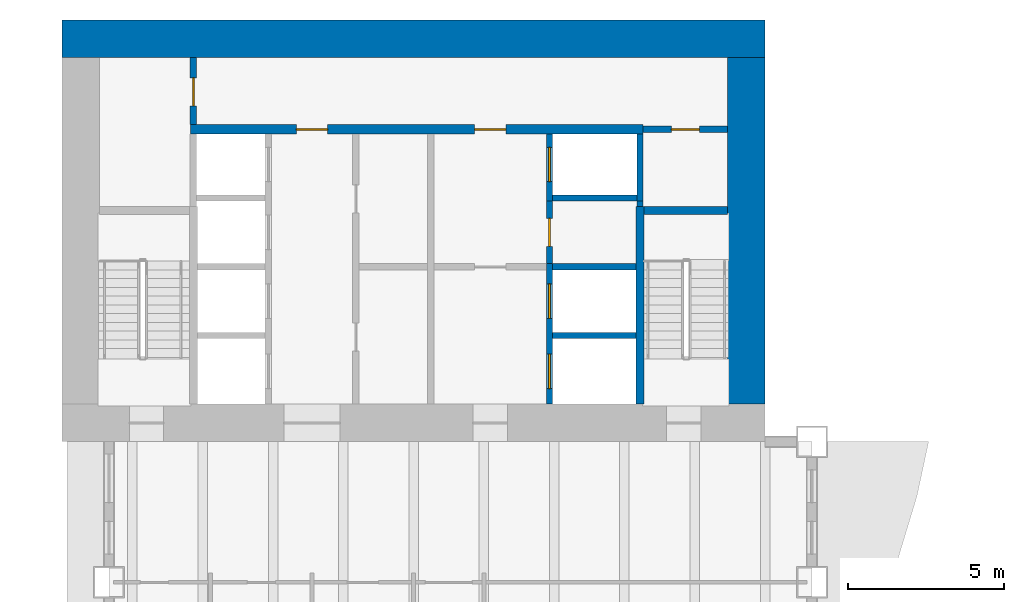
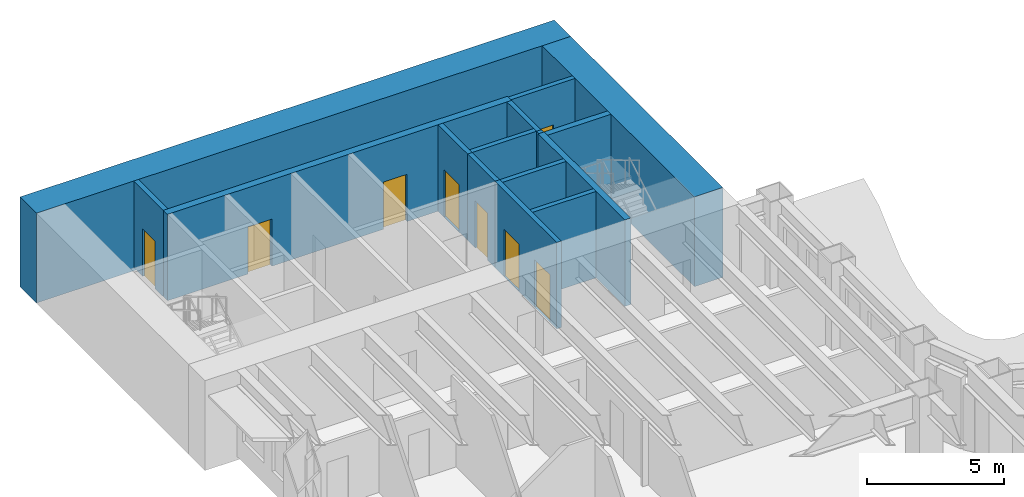
# One storey, part 9 of 16: 15 walls, 8 doors, 8 openings.
"""IFC4 building model written with IfcOpenShell, lengths in metres."""

from ifc_helpers import new_model, si_unit, direction, frame, frame_2d, origin, place, context, subcontext, project, spatial, rectangle, extrude, material, layer, layer_set, type_object, element, fill, save


model = new_model("IFC4")

# Units and contexts
model_context = context("Model", 3, precision=1e-05, world=origin(), true_north=direction((0.0, 1.0)))
body_context = subcontext(model_context, "Body", "Model", "MODEL_VIEW")
ifc_project = project(units=[si_unit("LENGTHUNIT", "METRE"), si_unit("AREAUNIT", "SQUARE_METRE"), si_unit("VOLUMEUNIT", "CUBIC_METRE"), si_unit("PLANEANGLEUNIT", "RADIAN"), si_unit("MASSUNIT", "GRAM", prefix="KILO")], contexts=[model_context])

# Site, building, storey
site_placement = place(None, origin())
site = spatial("IfcSite", under=ifc_project, at=site_placement, CompositionType="ELEMENT")
building_placement = place(site_placement, origin())
building = spatial("IfcBuilding", under=site, at=building_placement, Name="Sennacour Bend Tower", CompositionType="ELEMENT")
storey_placement = place(building_placement, frame((0.0, 0.0, 91.0)))
storey = spatial("IfcBuildingStorey", under=building, at=storey_placement, Name="L20", CompositionType="ELEMENT", Elevation=91.0)

# Walls
ifc_material_1 = material(Name="Concrete C80/95", Category="concrete")
ifc_layer_1 = layer(ifc_material_1, 1.199951171875, Name="Concrete C80/95", Category="concrete")
ifc_layer_set_1 = layer_set([ifc_layer_1], Name="Concrete C80/95")
wall_type_1 = type_object("IfcWallType", Name="Core wall 1200 C80/95", PredefinedType="SHEAR", material=ifc_layer_set_1)
wall_1_placement = place(storey_placement, frame((0.0, 48.89990234375, -0.14990234375), z_axis=(0.0, 0.0, 1.0), x_axis=(1.0, 0.0, 0.0)))
element("IfcWall", 1, at=wall_1_placement, inside=storey, type_object=wall_type_1, Name="Core B wall L20 N", PredefinedType="SHEAR", context=body_context, shape_type="SweptSolid", body=[
    extrude(rectangle(XDim=22.5, YDim=1.199951171875, at=frame_2d((11.25, 0.0))), origin(), (0.0, 0.0, 1.0), 4.0),
])
wall_2_placement = place(storey_placement, frame((21.89990234375, 37.199951171875, -0.14990234375), z_axis=(0.0, 0.0, 1.0), x_axis=(0.0, 1.0, 0.0)))
element("IfcWall", 2, at=wall_2_placement, inside=storey, type_object=wall_type_1, Name="Core B wall L20 E", PredefinedType="SHEAR", context=body_context, shape_type="SweptSolid", body=[
    extrude(rectangle(XDim=11.10009765625, YDim=1.199951171875, at=frame_2d((5.550048828125, 0.0))), origin(), (0.0, 0.0, 1.0), 4.0),
])

# Wall, opening, door
ifc_material_2 = material(Name="Fire-rated plasterboard partition on steel studs", Category="steel")
ifc_layer_2 = layer(ifc_material_2, 0.199951171875, Name="Fire-rated plasterboard partition on steel studs", Category="steel")
ifc_layer_set_2 = layer_set([ifc_layer_2], Name="Fire-rated plasterboard partition on steel studs")
wall_type_2 = type_object("IfcWallType", Name="Rated partition 200", PredefinedType="PARTITIONING", material=ifc_layer_set_2)
wall_3_placement = place(storey_placement, frame((4.199951171875, 46.14990234375, 0.0), z_axis=(0.0, 0.0, 1.0), x_axis=(0.0, 1.0, 0.0)))
wall_3 = element("IfcWall", 3, at=wall_3_placement, inside=storey, type_object=wall_type_2, Name="P-L20-W006", PredefinedType="PARTITIONING", context=body_context, shape_type="SweptSolid", body=[
    extrude(rectangle(XDim=2.150146484375, YDim=0.199951171875, at=frame_2d((1.0751953125, 0.0))), origin(), (0.0, 0.0, 1.0), 3.85009765625),
])
opening_1_placement = place(wall_3_placement, frame((0.60009765625, 0.0, 0.0)))
opening_1 = element("IfcOpeningElement", 4, at=opening_1_placement, cuts=wall_3, Name="Opening SV", PredefinedType="OPENING", context=body_context, shape_type="SweptSolid", body=[
    extrude(rectangle(XDim=0.89990234375, YDim=2.10009765625, at=frame_2d((0.449951171875, 1.050048828125))), frame((0.0, 0.10986328125, 0.0), z_axis=(0.0, -1.0, 0.0), x_axis=(1.0, 0.0, 0.0)), (0.0, 0.0, 1.0), 0.219970703125),
])
ifc_material_3 = material(Name="Painted steel", Category="steel")
door_type_1 = type_object("IfcDoorType", Name="DR-SERVICE-900", OperationType="NOTDEFINED", PredefinedType="DOOR", material=ifc_material_3)
door_1_placement = place(opening_1_placement, origin())
door_1 = element("IfcDoor", 5, at=door_1_placement, inside=storey, type_object=door_type_1, Name="Door", OperationType="SINGLE_SWING_LEFT", OverallHeight=2.10009765625, OverallWidth=0.89990234375, PredefinedType="DOOR", context=body_context, shape_type="SweptSolid", body=[
    extrude(rectangle(XDim=0.89990234375, YDim=2.10009765625, at=frame_2d((0.449951171875, 1.050048828125))), frame((0.0, 0.02490234375, 0.0), z_axis=(0.0, -1.0, 0.0), x_axis=(1.0, 0.0, 0.0)), (0.0, 0.0, 1.0), 0.050048828125),
])
fill(opening_1, door_1)

wall_4_placement = place(storey_placement, frame((15.60009765625, 41.699951171875, 0.0), z_axis=(0.0, 0.0, 1.0), x_axis=(0.0, 1.0, 0.0)))
wall_4 = element("IfcWall", 6, at=wall_4_placement, inside=storey, type_object=wall_type_2, Name="P-L20-W018", PredefinedType="PARTITIONING", context=body_context, shape_type="SweptSolid", body=[
    extrude(rectangle(XDim=2.0, YDim=0.199951171875, at=frame_2d((1.0, 0.0))), origin(), (0.0, 0.0, 1.0), 3.85009765625),
])
opening_2_placement = place(wall_4_placement, frame((0.550048828125, 0.0, 0.0)))
opening_2 = element("IfcOpeningElement", 7, at=opening_2_placement, cuts=wall_4, Name="Opening SV", PredefinedType="OPENING", context=body_context, shape_type="SweptSolid", body=[
    extrude(rectangle(XDim=0.89990234375, YDim=2.10009765625, at=frame_2d((0.449951171875, 1.050048828125))), frame((0.0, 0.10986328125, 0.0), z_axis=(0.0, -1.0, 0.0), x_axis=(1.0, 0.0, 0.0)), (0.0, 0.0, 1.0), 0.219970703125),
])
door_2_placement = place(opening_2_placement, origin())
door_2 = element("IfcDoor", 8, at=door_2_placement, inside=storey, type_object=door_type_1, Name="Door", OperationType="SINGLE_SWING_RIGHT", OverallHeight=2.10009765625, OverallWidth=0.89990234375, PredefinedType="DOOR", context=body_context, shape_type="SweptSolid", body=[
    extrude(rectangle(XDim=0.89990234375, YDim=2.10009765625, at=frame_2d((0.449951171875, 1.050048828125))), frame((0.0, 0.02490234375, 0.0), z_axis=(0.0, -1.0, 0.0), x_axis=(1.0, 0.0, 0.0)), (0.0, 0.0, 1.0), 0.050048828125),
])
fill(opening_2, door_2)

# Wall
wall_5_placement = place(storey_placement, frame((18.5, 43.52490234375, 0.0), z_axis=(0.0, 0.0, 1.0), x_axis=(0.0, 1.0, 0.0)))
element("IfcWall", 9, at=wall_5_placement, inside=storey, type_object=wall_type_2, Name="P-L20-W022", PredefinedType="PARTITIONING", context=body_context, shape_type="SweptSolid", body=[
    extrude(rectangle(XDim=0.175048828125, YDim=0.199951171875, at=frame_2d((0.08740234375, 0.0))), origin(), (0.0, 0.0, 1.0), 3.85009765625),
])

# Wall, opening, door
wall_6_placement = place(storey_placement, frame((18.60009765625, 46.0, 0.0), z_axis=(0.0, 0.0, 1.0), x_axis=(1.0, 0.0, 0.0)))
wall_6 = element("IfcWall", 10, at=wall_6_placement, inside=storey, type_object=wall_type_2, Name="P-L20-W084", PredefinedType="PARTITIONING", context=body_context, shape_type="SweptSolid", body=[
    extrude(rectangle(XDim=2.699951171875, YDim=0.199951171875, at=frame_2d((1.35009765625, 0.0))), origin(), (0.0, 0.0, 1.0), 3.85009765625),
])
opening_3_placement = place(wall_6_placement, frame((0.89990234375, 0.0, 0.0)))
opening_3 = element("IfcOpeningElement", 11, at=opening_3_placement, cuts=wall_6, Name="Opening SV", PredefinedType="OPENING", context=body_context, shape_type="SweptSolid", body=[
    extrude(rectangle(XDim=0.89990234375, YDim=2.10009765625, at=frame_2d((0.449951171875, 1.050048828125))), frame((0.0, 0.10986328125, 0.0), z_axis=(0.0, -1.0, 0.0), x_axis=(1.0, 0.0, 0.0)), (0.0, 0.0, 1.0), 0.219970703125),
])
door_3_placement = place(opening_3_placement, origin())
door_3 = element("IfcDoor", 12, at=door_3_placement, inside=storey, type_object=door_type_1, Name="Door", OperationType="SINGLE_SWING_LEFT", OverallHeight=2.10009765625, OverallWidth=0.89990234375, PredefinedType="DOOR", context=body_context, shape_type="SweptSolid", body=[
    extrude(rectangle(XDim=0.89990234375, YDim=2.10009765625, at=frame_2d((0.449951171875, 1.050048828125))), frame((0.0, 0.02490234375, 0.0), z_axis=(0.0, -1.0, 0.0), x_axis=(1.0, 0.0, 0.0)), (0.0, 0.0, 1.0), 0.050048828125),
])
fill(opening_3, door_3)

# Wall, openings, doors
ifc_material_4 = material(Name="Concrete C50/60", Category="concrete")
ifc_layer_3 = layer(ifc_material_4, 0.199951171875, Name="Concrete C50/60", Category="concrete")
ifc_layer_set_3 = layer_set([ifc_layer_3], Name="Concrete C50/60")
wall_type_3 = type_object("IfcWallType", Name="Shaft wall 200", PredefinedType="SOLIDWALL", material=ifc_layer_set_3)
wall_7_placement = place(storey_placement, frame((15.60009765625, 37.199951171875, 0.0), z_axis=(0.0, 0.0, 1.0), x_axis=(0.0, 1.0, 0.0)))
wall_7 = element("IfcWall", 13, at=wall_7_placement, inside=storey, type_object=wall_type_3, Name="P-L20-W017", PredefinedType="SOLIDWALL", context=body_context, shape_type="SweptSolid", body=[
    extrude(rectangle(XDim=4.5, YDim=0.199951171875, at=frame_2d((2.25, 0.0))), origin(), (0.0, 0.0, 1.0), 3.85009765625),
])
opening_4_placement = place(wall_7_placement, frame((0.5, 0.0, 0.011962890625)))
opening_4 = element("IfcOpeningElement", 14, at=opening_4_placement, cuts=wall_7, Name="Opening FLD", PredefinedType="OPENING", context=body_context, shape_type="SweptSolid", body=[
    extrude(rectangle(XDim=1.10009765625, YDim=2.10009765625, at=frame_2d((0.550048828125, 1.050048828125))), frame((0.0, 0.10986328125, 0.0), z_axis=(0.0, -1.0, 0.0), x_axis=(1.0, 0.0, 0.0)), (0.0, 0.0, 1.0), 0.219970703125),
])
opening_5_placement = place(wall_7_placement, frame((2.75, 0.0, 0.011962890625)))
opening_5 = element("IfcOpeningElement", 15, at=opening_5_placement, cuts=wall_7, Name="Opening FLD", PredefinedType="OPENING", context=body_context, shape_type="SweptSolid", body=[
    extrude(rectangle(XDim=1.10009765625, YDim=2.10009765625, at=frame_2d((0.550048828125, 1.050048828125))), frame((0.0, 0.10986328125, 0.0), z_axis=(0.0, -1.0, 0.0), x_axis=(1.0, 0.0, 0.0)), (0.0, 0.0, 1.0), 0.219970703125),
])
ifc_material_5 = material(Name="Stainless steel", Category="steel")
door_type_2 = type_object("IfcDoorType", Name="DR-FF-LANDING-1100", OperationType="NOTDEFINED", PredefinedType="DOOR", material=ifc_material_5)
door_4_placement = place(opening_4_placement, origin())
door_4 = element("IfcDoor", 16, at=door_4_placement, inside=storey, type_object=door_type_2, Name="Fire service lift landing door FB1", OperationType="SLIDING_TO_RIGHT", OverallHeight=2.10009765625, OverallWidth=1.10009765625, PredefinedType="DOOR", context=body_context, shape_type="SweptSolid", body=[
    extrude(rectangle(XDim=1.10009765625, YDim=2.10009765625, at=frame_2d((0.550048828125, 1.050048828125))), frame((0.0, 0.02490234375, 0.0), z_axis=(0.0, -1.0, 0.0), x_axis=(1.0, 0.0, 0.0)), (0.0, 0.0, 1.0), 0.050048828125),
])
fill(opening_4, door_4)
door_5_placement = place(opening_5_placement, origin())
door_5 = element("IfcDoor", 17, at=door_5_placement, inside=storey, type_object=door_type_2, Name="Fire service lift landing door FB2", OperationType="SLIDING_TO_LEFT", OverallHeight=2.10009765625, OverallWidth=1.10009765625, PredefinedType="DOOR", context=body_context, shape_type="SweptSolid", body=[
    extrude(rectangle(XDim=1.10009765625, YDim=2.10009765625, at=frame_2d((0.550048828125, 1.050048828125))), frame((0.0, 0.02490234375, 0.0), z_axis=(0.0, -1.0, 0.0), x_axis=(1.0, 0.0, 0.0)), (0.0, 0.0, 1.0), 0.050048828125),
])
fill(opening_5, door_5)

# Wall, opening, door
wall_8_placement = place(storey_placement, frame((15.60009765625, 43.699951171875, 0.0), z_axis=(0.0, 0.0, 1.0), x_axis=(0.0, 1.0, 0.0)))
wall_8 = element("IfcWall", 18, at=wall_8_placement, inside=storey, type_object=wall_type_3, Name="P-L20-W019", PredefinedType="SOLIDWALL", context=body_context, shape_type="SweptSolid", body=[
    extrude(rectangle(XDim=2.150146484375, YDim=0.199951171875, at=frame_2d((1.0751953125, 0.0))), origin(), (0.0, 0.0, 1.0), 3.85009765625),
])
opening_6_placement = place(wall_8_placement, frame((0.625, 0.0, 0.011962890625)))
opening_6 = element("IfcOpeningElement", 19, at=opening_6_placement, cuts=wall_8, Name="Opening LD", PredefinedType="OPENING", context=body_context, shape_type="SweptSolid", body=[
    extrude(rectangle(XDim=1.10009765625, YDim=2.10009765625, at=frame_2d((0.550048828125, 1.050048828125))), frame((0.0, 0.10986328125, 0.0), z_axis=(0.0, -1.0, 0.0), x_axis=(1.0, 0.0, 0.0)), (0.0, 0.0, 1.0), 0.219970703125),
])
door_type_3 = type_object("IfcDoorType", Name="DR-LANDING-1100", OperationType="NOTDEFINED", PredefinedType="DOOR", material=ifc_material_5)
door_6_placement = place(opening_6_placement, origin())
door_6 = element("IfcDoor", 20, at=door_6_placement, inside=storey, type_object=door_type_3, Name="Lift landing door LB5", OperationType="SLIDING_TO_RIGHT", OverallHeight=2.10009765625, OverallWidth=1.10009765625, PredefinedType="DOOR", context=body_context, shape_type="SweptSolid", body=[
    extrude(rectangle(XDim=1.10009765625, YDim=2.10009765625, at=frame_2d((0.550048828125, 1.050048828125))), frame((0.0, 0.02490234375, 0.0), z_axis=(0.0, -1.0, 0.0), x_axis=(1.0, 0.0, 0.0)), (0.0, 0.0, 1.0), 0.050048828125),
])
fill(opening_6, door_6)

# Walls
wall_9_placement = place(storey_placement, frame((18.5, 43.699951171875, 0.0), z_axis=(0.0, 0.0, 1.0), x_axis=(0.0, 1.0, 0.0)))
element("IfcWall", 21, at=wall_9_placement, inside=storey, type_object=wall_type_3, Name="P-L20-W023", PredefinedType="SOLIDWALL", context=body_context, shape_type="SweptSolid", body=[
    extrude(rectangle(XDim=2.150146484375, YDim=0.199951171875, at=frame_2d((1.0751953125, 0.0))), origin(), (0.0, 0.0, 1.0), 3.85009765625),
])
for number, where, z_axis, x_axis, name in (
    (22, (15.699951171875, 39.39990234375, 0.0), (0.0, 0.0, 1.0), (1.0, 0.0, 0.0), "P-L20-W075"),
    (23, (15.699951171875, 41.60009765625, 0.0), (0.0, 0.0, 1.0), (1.0, 0.0, 0.0), "P-L20-W078"),
):
    element("IfcWall", number, at=place(storey_placement, frame(where, z_axis=z_axis, x_axis=x_axis)), inside=storey, type_object=wall_type_3, Name=name, PredefinedType="SOLIDWALL", context=body_context, shape_type="SweptSolid", body=[
        extrude(rectangle(XDim=2.675048828125, YDim=0.199951171875, at=frame_2d((1.33740234375, 0.0))), origin(), (0.0, 0.0, 1.0), 3.85009765625),
    ])
wall_10_placement = place(storey_placement, frame((15.699951171875, 43.800048828125, 0.0), z_axis=(0.0, 0.0, 1.0), x_axis=(1.0, 0.0, 0.0)))
element("IfcWall", 24, at=wall_10_placement, inside=storey, type_object=wall_type_3, Name="P-L20-W082", PredefinedType="SOLIDWALL", context=body_context, shape_type="SweptSolid", body=[
    extrude(rectangle(XDim=2.699951171875, YDim=0.199951171875, at=frame_2d((1.35009765625, 0.0))), origin(), (0.0, 0.0, 1.0), 3.85009765625),
])

# Wall, openings, doors
ifc_material_6 = material(Name="Concrete C60/75", Category="concrete")
ifc_layer_4 = layer(ifc_material_6, 0.300048828125, Name="Concrete C60/75", Category="concrete")
ifc_layer_set_4 = layer_set([ifc_layer_4], Name="Concrete C60/75")
wall_type_4 = type_object("IfcWallType", Name="Spine wall 300", PredefinedType="SHEAR", material=ifc_layer_set_4)
wall_11_placement = place(storey_placement, frame((4.10009765625, 46.0, 0.0), z_axis=(0.0, 0.0, 1.0), x_axis=(1.0, 0.0, 0.0)))
wall_11 = element("IfcWall", 25, at=wall_11_placement, inside=storey, type_object=wall_type_4, Name="P-L20-W083", PredefinedType="SHEAR", context=body_context, shape_type="SweptSolid", body=[
    extrude(rectangle(XDim=14.5, YDim=0.300048828125, at=frame_2d((7.25, 0.0))), origin(), (0.0, 0.0, 1.0), 3.85009765625),
])
opening_7_placement = place(wall_11_placement, frame((3.39990234375, 0.0, 0.0)))
opening_7 = element("IfcOpeningElement", 26, at=opening_7_placement, cuts=wall_11, Name="Opening CD2", PredefinedType="OPENING", context=body_context, shape_type="SweptSolid", body=[
    extrude(rectangle(XDim=1.0, YDim=2.10009765625, at=frame_2d((0.5, 1.050048828125))), frame((0.0, 0.16015625, 0.0), z_axis=(0.0, -1.0, 0.0), x_axis=(1.0, 0.0, 0.0)), (0.0, 0.0, 1.0), 0.320068359375),
])
opening_8_placement = place(wall_11_placement, frame((9.099853515625, 0.0, 0.0)))
opening_8 = element("IfcOpeningElement", 27, at=opening_8_placement, cuts=wall_11, Name="Opening CD2", PredefinedType="OPENING", context=body_context, shape_type="SweptSolid", body=[
    extrude(rectangle(XDim=1.0, YDim=2.10009765625, at=frame_2d((0.5, 1.050048828125))), frame((0.0, 0.16015625, 0.0), z_axis=(0.0, -1.0, 0.0), x_axis=(1.0, 0.0, 0.0)), (0.0, 0.0, 1.0), 0.320068359375),
])
door_type_4 = type_object("IfcDoorType", Name="DR-LOBBY-1000", OperationType="NOTDEFINED", PredefinedType="DOOR", material=ifc_material_3)
door_7_placement = place(opening_7_placement, origin())
door_7 = element("IfcDoor", 28, at=door_7_placement, inside=storey, type_object=door_type_4, Name="Door", OperationType="SINGLE_SWING_LEFT", OverallHeight=2.10009765625, OverallWidth=1.0, PredefinedType="DOOR", context=body_context, shape_type="SweptSolid", body=[
    extrude(rectangle(XDim=1.0, YDim=2.10009765625, at=frame_2d((0.5, 1.050048828125))), frame((0.0, 0.02490234375, 0.0), z_axis=(0.0, -1.0, 0.0), x_axis=(1.0, 0.0, 0.0)), (0.0, 0.0, 1.0), 0.050048828125),
])
fill(opening_7, door_7)
door_8_placement = place(opening_8_placement, origin())
door_8 = element("IfcDoor", 29, at=door_8_placement, inside=storey, type_object=door_type_4, Name="Door", OperationType="SINGLE_SWING_RIGHT", OverallHeight=2.10009765625, OverallWidth=1.0, PredefinedType="DOOR", context=body_context, shape_type="SweptSolid", body=[
    extrude(rectangle(XDim=1.0, YDim=2.10009765625, at=frame_2d((0.5, 1.050048828125))), frame((0.0, 0.02490234375, 0.0), z_axis=(0.0, -1.0, 0.0), x_axis=(1.0, 0.0, 0.0)), (0.0, 0.0, 1.0), 0.050048828125),
])
fill(opening_8, door_8)

# Walls
ifc_layer_5 = layer(ifc_material_6, 0.25, Name="Concrete C60/75", Category="concrete")
ifc_layer_set_5 = layer_set([ifc_layer_5], Name="Concrete C60/75")
wall_type_5 = type_object("IfcWallType", Name="Stair wall 250", PredefinedType="SHEAR", material=ifc_layer_set_5)
wall_12_placement = place(storey_placement, frame((18.5, 37.199951171875, 0.0), z_axis=(0.0, 0.0, 1.0), x_axis=(0.0, 1.0, 0.0)))
element("IfcWall", 30, at=wall_12_placement, inside=storey, type_object=wall_type_5, Name="P-L20-W021", PredefinedType="SHEAR", context=body_context, shape_type="SweptSolid", body=[
    extrude(rectangle(XDim=6.324951171875, YDim=0.25, at=frame_2d((3.16259765625, 0.0))), origin(), (0.0, 0.0, 1.0), 3.85009765625),
])
wall_13_placement = place(storey_placement, frame((18.625, 43.39990234375, 0.0), z_axis=(0.0, 0.0, 1.0), x_axis=(1.0, 0.0, 0.0)))
element("IfcWall", 31, at=wall_13_placement, inside=storey, type_object=wall_type_5, Name="P-L20-W080", PredefinedType="SHEAR", context=body_context, shape_type="SweptSolid", body=[
    extrude(rectangle(XDim=2.675048828125, YDim=0.25, at=frame_2d((1.33740234375, 0.0))), origin(), (0.0, 0.0, 1.0), 3.85009765625),
])

save(model, "model.ifc")
